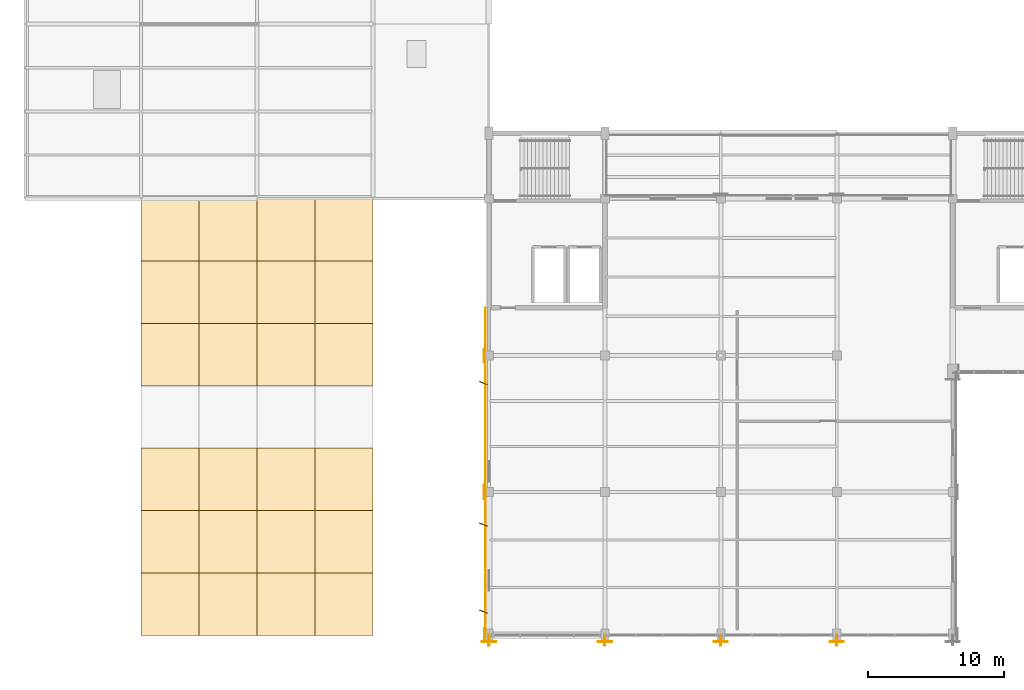
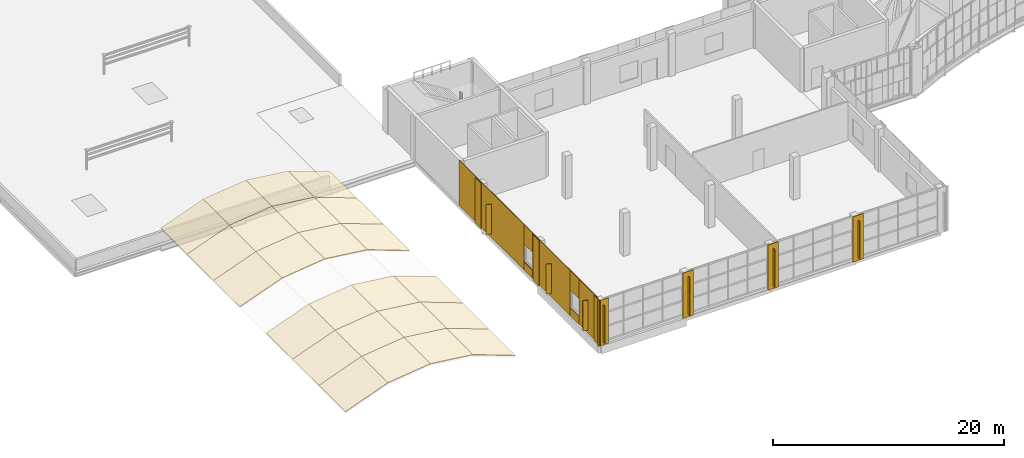
# One storey, part 59 of 66: 41 coverings, 4 shading devices.
"""IFC4 building model written with IfcOpenShell, lengths in metres."""

from ifc_helpers import new_model, si_unit, direction, frame, origin, origin_2d, place, context, subcontext, project, spatial, polyline, rectangle, hollow_rectangle, outline, extrude, material, layer, layer_set, material_profile, profile_set, type_object, element, save


model = new_model("IFC4")

# Units and contexts
model_context = context("Model", 3, precision=1e-05, world=origin(), true_north=direction((0.0, 1.0)))
body_context = subcontext(model_context, "Body", "Model", "MODEL_VIEW")
ifc_project = project(units=[si_unit("LENGTHUNIT", "METRE"), si_unit("AREAUNIT", "SQUARE_METRE"), si_unit("VOLUMEUNIT", "CUBIC_METRE"), si_unit("PLANEANGLEUNIT", "RADIAN"), si_unit("MASSUNIT", "GRAM", prefix="KILO")], contexts=[model_context])

# Site, building, storey
site_placement = place(None, origin())
site = spatial("IfcSite", under=ifc_project, at=site_placement, CompositionType="ELEMENT")
building_placement = place(site_placement, origin())
building = spatial("IfcBuilding", under=site, at=building_placement, Name="Solvikara Media Centre", CompositionType="ELEMENT")
storey_placement = place(building_placement, frame((0.0, 0.0, 19.800048828125)))
storey = spatial("IfcBuildingStorey", under=building, at=storey_placement, Name="L04", CompositionType="ELEMENT", Elevation=19.800048828125)

# Coverings
ifc_material_1 = material(Name="Insulated standing-seam aluminium-zinc acoustic roofing", Category="aluminium")
ifc_layer_1 = layer(ifc_material_1, 0.080078125)
ifc_layer_set_1 = layer_set([ifc_layer_1], Name="Insulated standing-seam aluminium-zinc acoustic roofing")
covering_type_1 = type_object("IfcCoveringType", Name="CV-03", PredefinedType="ROOFING", material=ifc_layer_set_1)
covering_1_placement = place(storey_placement, frame((8.5, 0.0, 1.579833984375), z_axis=(-0.347531882516, 0.0, 0.937668166589), x_axis=(0.937668166589, 0.0, 0.347531882516)))
element("IfcCovering", 1, at=covering_1_placement, inside=storey, type_object=covering_type_1, Name="CV-GC-00-02", PredefinedType="ROOFING", context=body_context, shape_type="SweptSolid", body=[
    extrude(outline(polyline([(0.0, 0.0), (4.532520300287906, 0.0), (4.532520300287906, 4.571044921875), (0.0, 4.571044921875), (0.0, 0.0)])), origin(), (0.0, 0.0, -1.0), 0.080078125),
])
for number, where, z_axis, x_axis, name in (
    (2, (12.75, 0.0, 3.155029296875), (-0.122575101536, 0.0, 0.992459240716), (0.992459240716, 0.0, 0.122575101536), "CV-GC-00-03"),
    (3, (17.0, 0.0, 3.679931640625), (0.122575101536, 0.0, 0.992459240716), (0.992459240716, 0.0, -0.122575101536), "CV-GC-00-04"),
):
    element("IfcCovering", number, at=place(storey_placement, frame(where, z_axis=z_axis, x_axis=x_axis)), inside=storey, type_object=covering_type_1, Name=name, PredefinedType="ROOFING", context=body_context, shape_type="SweptSolid", body=[
        extrude(outline(polyline([(0.0, 0.0), (4.282291731126482, 0.0), (4.282291731126482, 4.571044921875001), (0.0, 4.571044921875001), (0.0, 0.0)])), origin(), (0.0, 0.0, -1.0), 0.080078125),
    ])
covering_2_placement = place(storey_placement, frame((21.25, 0.0, 3.155029296875), z_axis=(0.347531882516, 0.0, 0.937668166589), x_axis=(0.937668166589, 0.0, -0.347531882516)))
element("IfcCovering", 4, at=covering_2_placement, inside=storey, type_object=covering_type_1, Name="CV-GC-00-05", PredefinedType="ROOFING", context=body_context, shape_type="SweptSolid", body=[
    extrude(outline(polyline([(0.0, 0.0), (4.532520300287906, 0.0), (4.532520300287906, 4.571044921875), (0.0, 4.571044921875), (0.0, 0.0)])), origin(), (0.0, 0.0, -1.0), 0.080078125),
])
covering_3_placement = place(storey_placement, frame((8.5, 4.571044921875, 1.579833984375), z_axis=(-0.347531882516, 0.0, 0.937668166589), x_axis=(0.937668166589, 0.0, 0.347531882516)))
element("IfcCovering", 5, at=covering_3_placement, inside=storey, type_object=covering_type_1, Name="CV-GC-01-02", PredefinedType="ROOFING", context=body_context, shape_type="SweptSolid", body=[
    extrude(outline(polyline([(0.0, 0.0), (4.532520300287906, 0.0), (4.532520300287906, 4.572021484375), (0.0, 4.572021484375), (0.0, 0.0)])), origin(), (0.0, 0.0, -1.0), 0.080078125),
])
for number, where, z_axis, x_axis, name in (
    (6, (12.75, 4.571044921875, 3.155029296875), (-0.122575101536, 0.0, 0.992459240716), (0.992459240716, 0.0, 0.122575101536), "CV-GC-01-03"),
    (7, (17.0, 4.571044921875, 3.679931640625), (0.122575101536, 0.0, 0.992459240716), (0.992459240716, 0.0, -0.122575101536), "CV-GC-01-04"),
):
    element("IfcCovering", number, at=place(storey_placement, frame(where, z_axis=z_axis, x_axis=x_axis)), inside=storey, type_object=covering_type_1, Name=name, PredefinedType="ROOFING", context=body_context, shape_type="SweptSolid", body=[
        extrude(outline(polyline([(0.0, 0.0), (4.282291731126482, 0.0), (4.282291731126482, 4.572021484375), (0.0, 4.572021484375), (0.0, 0.0)])), origin(), (0.0, 0.0, -1.0), 0.080078125),
    ])
covering_4_placement = place(storey_placement, frame((21.25, 4.571044921875, 3.155029296875), z_axis=(0.347531882516, 0.0, 0.937668166589), x_axis=(0.937668166589, 0.0, -0.347531882516)))
element("IfcCovering", 8, at=covering_4_placement, inside=storey, type_object=covering_type_1, Name="CV-GC-01-05", PredefinedType="ROOFING", context=body_context, shape_type="SweptSolid", body=[
    extrude(outline(polyline([(0.0, 0.0), (4.532520300287906, 0.0), (4.532520300287906, 4.572021484375), (0.0, 4.572021484375), (0.0, 0.0)])), origin(), (0.0, 0.0, -1.0), 0.080078125),
])
covering_5_placement = place(storey_placement, frame((8.5, 9.14306640625, 1.579833984375), z_axis=(-0.347531882516, 0.0, 0.937668166589), x_axis=(0.937668166589, 0.0, 0.347531882516)))
element("IfcCovering", 9, at=covering_5_placement, inside=storey, type_object=covering_type_1, Name="CV-GC-02-02", PredefinedType="ROOFING", context=body_context, shape_type="SweptSolid", body=[
    extrude(outline(polyline([(0.0, 0.0), (4.532520300287906, 0.0), (4.532520300287906, 4.571044921875), (0.0, 4.571044921875), (0.0, 0.0)])), origin(), (0.0, 0.0, -1.0), 0.080078125),
])
for number, where, z_axis, x_axis, name in (
    (10, (12.75, 9.14306640625, 3.155029296875), (-0.122575101536, 0.0, 0.992459240716), (0.992459240716, 0.0, 0.122575101536), "CV-GC-02-03"),
    (11, (17.0, 9.14306640625, 3.679931640625), (0.122575101536, 0.0, 0.992459240716), (0.992459240716, 0.0, -0.122575101536), "CV-GC-02-04"),
):
    element("IfcCovering", number, at=place(storey_placement, frame(where, z_axis=z_axis, x_axis=x_axis)), inside=storey, type_object=covering_type_1, Name=name, PredefinedType="ROOFING", context=body_context, shape_type="SweptSolid", body=[
        extrude(outline(polyline([(0.0, 0.0), (4.282291731126482, 0.0), (4.282291731126482, 4.571044921875001), (0.0, 4.571044921875001), (0.0, 0.0)])), origin(), (0.0, 0.0, -1.0), 0.080078125),
    ])
for number, where, z_axis, x_axis, name in (
    (12, (21.25, 9.14306640625, 3.155029296875), (0.347531882516, 0.0, 0.937668166589), (0.937668166589, 0.0, -0.347531882516), "CV-GC-02-05"),
    (13, (8.5, 18.285888671875, 1.579833984375), (-0.347531882516, 0.0, 0.937668166589), (0.937668166589, 0.0, 0.347531882516), "CV-GC-04-02"),
):
    element("IfcCovering", number, at=place(storey_placement, frame(where, z_axis=z_axis, x_axis=x_axis)), inside=storey, type_object=covering_type_1, Name=name, PredefinedType="ROOFING", context=body_context, shape_type="SweptSolid", body=[
        extrude(outline(polyline([(0.0, 0.0), (4.532520300287906, 0.0), (4.532520300287906, 4.571044921875), (0.0, 4.571044921875), (0.0, 0.0)])), origin(), (0.0, 0.0, -1.0), 0.080078125),
    ])
for number, where, z_axis, x_axis, name in (
    (14, (12.75, 18.285888671875, 3.155029296875), (-0.122575101536, 0.0, 0.992459240716), (0.992459240716, 0.0, 0.122575101536), "CV-GC-04-03"),
    (15, (17.0, 18.285888671875, 3.679931640625), (0.122575101536, 0.0, 0.992459240716), (0.992459240716, 0.0, -0.122575101536), "CV-GC-04-04"),
):
    element("IfcCovering", number, at=place(storey_placement, frame(where, z_axis=z_axis, x_axis=x_axis)), inside=storey, type_object=covering_type_1, Name=name, PredefinedType="ROOFING", context=body_context, shape_type="SweptSolid", body=[
        extrude(outline(polyline([(0.0, 0.0), (4.282291731126482, 0.0), (4.282291731126482, 4.571044921875001), (0.0, 4.571044921875001), (0.0, 0.0)])), origin(), (0.0, 0.0, -1.0), 0.080078125),
    ])
covering_6_placement = place(storey_placement, frame((21.25, 18.285888671875, 3.155029296875), z_axis=(0.347531882516, 0.0, 0.937668166589), x_axis=(0.937668166589, 0.0, -0.347531882516)))
element("IfcCovering", 16, at=covering_6_placement, inside=storey, type_object=covering_type_1, Name="CV-GC-04-05", PredefinedType="ROOFING", context=body_context, shape_type="SweptSolid", body=[
    extrude(outline(polyline([(0.0, 0.0), (4.532520300287906, 0.0), (4.532520300287906, 4.571044921875), (0.0, 4.571044921875), (0.0, 0.0)])), origin(), (0.0, 0.0, -1.0), 0.080078125),
])
covering_7_placement = place(storey_placement, frame((8.5, 22.85693359375, 1.579833984375), z_axis=(-0.347531882516, 0.0, 0.937668166589), x_axis=(0.937668166589, 0.0, 0.347531882516)))
element("IfcCovering", 17, at=covering_7_placement, inside=storey, type_object=covering_type_1, Name="CV-GC-05-02", PredefinedType="ROOFING", context=body_context, shape_type="SweptSolid", body=[
    extrude(outline(polyline([(0.0, 0.0), (4.532520300287906, 0.0), (4.532520300287906, 4.572021484375), (0.0, 4.572021484375), (0.0, 0.0)])), origin(), (0.0, 0.0, -1.0), 0.080078125),
])
for number, where, z_axis, x_axis, name in (
    (18, (12.75, 22.85693359375, 3.155029296875), (-0.122575101536, 0.0, 0.992459240716), (0.992459240716, 0.0, 0.122575101536), "CV-GC-05-03"),
    (19, (17.0, 22.85693359375, 3.679931640625), (0.122575101536, 0.0, 0.992459240716), (0.992459240716, 0.0, -0.122575101536), "CV-GC-05-04"),
):
    element("IfcCovering", number, at=place(storey_placement, frame(where, z_axis=z_axis, x_axis=x_axis)), inside=storey, type_object=covering_type_1, Name=name, PredefinedType="ROOFING", context=body_context, shape_type="SweptSolid", body=[
        extrude(outline(polyline([(0.0, 0.0), (4.282291731126482, 0.0), (4.282291731126482, 4.572021484375), (0.0, 4.572021484375), (0.0, 0.0)])), origin(), (0.0, 0.0, -1.0), 0.080078125),
    ])
covering_8_placement = place(storey_placement, frame((21.25, 22.85693359375, 3.155029296875), z_axis=(0.347531882516, 0.0, 0.937668166589), x_axis=(0.937668166589, 0.0, -0.347531882516)))
element("IfcCovering", 20, at=covering_8_placement, inside=storey, type_object=covering_type_1, Name="CV-GC-05-05", PredefinedType="ROOFING", context=body_context, shape_type="SweptSolid", body=[
    extrude(outline(polyline([(0.0, 0.0), (4.532520300287906, 0.0), (4.532520300287906, 4.572021484375), (0.0, 4.572021484375), (0.0, 0.0)])), origin(), (0.0, 0.0, -1.0), 0.080078125),
])
covering_9_placement = place(storey_placement, frame((8.5, 27.428955078125, 1.579833984375), z_axis=(-0.347531882516, 0.0, 0.937668166589), x_axis=(0.937668166589, 0.0, 0.347531882516)))
element("IfcCovering", 21, at=covering_9_placement, inside=storey, type_object=covering_type_1, Name="CV-GC-06-02", PredefinedType="ROOFING", context=body_context, shape_type="SweptSolid", body=[
    extrude(outline(polyline([(0.0, 0.0), (4.532520300287906, 0.0), (4.532520300287906, 4.571044921875), (0.0, 4.571044921875), (0.0, 0.0)])), origin(), (0.0, 0.0, -1.0), 0.080078125),
])
for number, where, z_axis, x_axis, name in (
    (22, (12.75, 27.428955078125, 3.155029296875), (-0.122575101536, 0.0, 0.992459240716), (0.992459240716, 0.0, 0.122575101536), "CV-GC-06-03"),
    (23, (17.0, 27.428955078125, 3.679931640625), (0.122575101536, 0.0, 0.992459240716), (0.992459240716, 0.0, -0.122575101536), "CV-GC-06-04"),
):
    element("IfcCovering", number, at=place(storey_placement, frame(where, z_axis=z_axis, x_axis=x_axis)), inside=storey, type_object=covering_type_1, Name=name, PredefinedType="ROOFING", context=body_context, shape_type="SweptSolid", body=[
        extrude(outline(polyline([(0.0, 0.0), (4.282291731126482, 0.0), (4.282291731126482, 4.571044921875001), (0.0, 4.571044921875001), (0.0, 0.0)])), origin(), (0.0, 0.0, -1.0), 0.080078125),
    ])
covering_10_placement = place(storey_placement, frame((21.25, 27.428955078125, 3.155029296875), z_axis=(0.347531882516, 0.0, 0.937668166589), x_axis=(0.937668166589, 0.0, -0.347531882516)))
element("IfcCovering", 24, at=covering_10_placement, inside=storey, type_object=covering_type_1, Name="CV-GC-06-05", PredefinedType="ROOFING", context=body_context, shape_type="SweptSolid", body=[
    extrude(outline(polyline([(0.0, 0.0), (4.532520300287906, 0.0), (4.532520300287906, 4.571044921875), (0.0, 4.571044921875), (0.0, 0.0)])), origin(), (0.0, 0.0, -1.0), 0.080078125),
])
ifc_material_2 = material(Name="GFRC white mineral architectural rainscreen panel")
ifc_layer_2 = layer(ifc_material_2, 0.050048828125)
ifc_layer_set_2 = layer_set([ifc_layer_2], Name="GFRC white mineral architectural rainscreen panel")
covering_type_2 = type_object("IfcCoveringType", Name="CV-04", PredefinedType="CLADDING", material=ifc_layer_set_2)
for number, where, z_axis, x_axis, name in (
    (25, (33.675048828125, 0.0, 0.0), (0.0, 0.0, 1.0), (0.0, -1.0, 0.0), "PIL-L04-101"),
    (26, (34.0, -0.47509765625, 0.0), (0.0, 0.0, 1.0), (1.0, 0.0, 0.0), "PIL-L04-102"),
    (27, (33.64990234375, 10.5, 0.0), (0.0, 0.0, 1.0), (0.0, -1.0, 0.0), "PIL-L04-104"),
    (28, (33.64990234375, 20.5, 0.0), (0.0, 0.0, 1.0), (0.0, -1.0, 0.0), "PIL-L04-106"),
    (29, (42.5, -0.47509765625, 0.0), (0.0, 0.0, 1.0), (1.0, 0.0, 0.0), "PIL-L04-111"),
    (30, (51.0, -0.47509765625, 0.0), (0.0, 0.0, 1.0), (1.0, 0.0, 0.0), "PIL-L04-116"),
    (31, (59.5, -0.47509765625, 0.0), (0.0, 0.0, 1.0), (1.0, 0.0, 0.0), "PIL-L04-131"),
):
    element("IfcCovering", number, at=place(storey_placement, frame(where, z_axis=z_axis, x_axis=x_axis)), inside=storey, type_object=covering_type_2, Name=name, PredefinedType="CLADDING", context=body_context, shape_type="SweptSolid", body=[
        extrude(rectangle(XDim=1.0400390625, YDim=0.050048828125, at=origin_2d()), origin(), (0.0, 0.0, 1.0), 4.800048828125),
    ])
covering_11_placement = place(storey_placement, frame((33.7548828125, 1.625, 0.0), z_axis=(0.0, 0.0, 1.0), x_axis=(0.0, 1.0, 0.0)))
element("IfcCovering", 32, at=covering_11_placement, inside=storey, type_object=covering_type_2, Name="L04-V6W-CV-F01", PredefinedType="CLADDING", context=body_context, shape_type="SweptSolid", body=[
    extrude(rectangle(XDim=3.25, YDim=0.050048828125, at=origin_2d()), origin(), (0.0, 0.0, 1.0), 4.800048828125),
])
covering_12_placement = place(storey_placement, frame((33.590087890625, 1.735107421875, 0.35009765625), z_axis=(0.0, 0.0, 1.0), x_axis=(-0.930749810713, 0.3656566557, 0.0)))
element("IfcCovering", 33, at=covering_12_placement, inside=storey, type_object=covering_type_2, Name="L04-V6W-FIN-01", PredefinedType="CLADDING", context=body_context, shape_type="SweptSolid", body=[
    extrude(rectangle(XDim=0.60205078125, YDim=0.050048828125, at=origin_2d()), origin(), (0.0, 0.0, 1.0), 3.159912109375),
])
covering_13_placement = place(storey_placement, frame((33.7548828125, 4.0, 0.0), z_axis=(0.0, 0.0, 1.0), x_axis=(0.0, 1.0, 0.0)))
element("IfcCovering", 34, at=covering_13_placement, inside=storey, type_object=covering_type_2, Name="L04-V6W-CV-S02", PredefinedType="CLADDING", context=body_context, shape_type="SweptSolid", body=[
    extrude(rectangle(XDim=1.5, YDim=0.050048828125, at=origin_2d()), origin(), (0.0, 0.0, 1.0), 0.8701171875),
])
covering_14_placement = place(storey_placement, frame((33.7548828125, 4.0, 2.72998046875), z_axis=(0.0, 0.0, 1.0), x_axis=(0.0, 1.0, 0.0)))
element("IfcCovering", 35, at=covering_14_placement, inside=storey, type_object=covering_type_2, Name="L04-V6W-CV-H02", PredefinedType="CLADDING", context=body_context, shape_type="SweptSolid", body=[
    extrude(rectangle(XDim=1.5, YDim=0.050048828125, at=origin_2d()), origin(), (0.0, 0.0, 1.0), 2.070068359375),
])
covering_15_placement = place(storey_placement, frame((33.7548828125, 8.0, 0.0), z_axis=(0.0, 0.0, 1.0), x_axis=(0.0, 1.0, 0.0)))
element("IfcCovering", 36, at=covering_15_placement, inside=storey, type_object=covering_type_2, Name="L04-V6W-CV-F03", PredefinedType="CLADDING", context=body_context, shape_type="SweptSolid", body=[
    extrude(rectangle(XDim=6.5, YDim=0.050048828125, at=origin_2d()), origin(), (0.0, 0.0, 1.0), 4.800048828125),
])
covering_16_placement = place(storey_placement, frame((33.590087890625, 8.110107421875, 0.35009765625), z_axis=(0.0, 0.0, 1.0), x_axis=(-0.930749810713, 0.3656566557, 0.0)))
element("IfcCovering", 37, at=covering_16_placement, inside=storey, type_object=covering_type_2, Name="L04-V6W-FIN-03", PredefinedType="CLADDING", context=body_context, shape_type="SweptSolid", body=[
    extrude(rectangle(XDim=0.60205078125, YDim=0.050048828125, at=origin_2d()), origin(), (0.0, 0.0, 1.0), 3.159912109375),
])
covering_17_placement = place(storey_placement, frame((33.7548828125, 12.0, 0.0), z_axis=(0.0, 0.0, 1.0), x_axis=(0.0, 1.0, 0.0)))
element("IfcCovering", 38, at=covering_17_placement, inside=storey, type_object=covering_type_2, Name="L04-V6W-CV-S04", PredefinedType="CLADDING", context=body_context, shape_type="SweptSolid", body=[
    extrude(rectangle(XDim=1.5, YDim=0.050048828125, at=origin_2d()), origin(), (0.0, 0.0, 1.0), 0.8701171875),
])
covering_18_placement = place(storey_placement, frame((33.7548828125, 12.0, 2.72998046875), z_axis=(0.0, 0.0, 1.0), x_axis=(0.0, 1.0, 0.0)))
element("IfcCovering", 39, at=covering_18_placement, inside=storey, type_object=covering_type_2, Name="L04-V6W-CV-H04", PredefinedType="CLADDING", context=body_context, shape_type="SweptSolid", body=[
    extrude(rectangle(XDim=1.5, YDim=0.050048828125, at=origin_2d()), origin(), (0.0, 0.0, 1.0), 2.070068359375),
])
covering_19_placement = place(storey_placement, frame((33.7548828125, 18.375, 0.0), z_axis=(0.0, 0.0, 1.0), x_axis=(0.0, 1.0, 0.0)))
element("IfcCovering", 40, at=covering_19_placement, inside=storey, type_object=covering_type_2, Name="L04-V6W-CV-F05", PredefinedType="CLADDING", context=body_context, shape_type="SweptSolid", body=[
    extrude(rectangle(XDim=11.25, YDim=0.050048828125, at=origin_2d()), origin(), (0.0, 0.0, 1.0), 4.800048828125),
])
covering_20_placement = place(storey_placement, frame((33.590087890625, 18.485107421875, 0.35009765625), z_axis=(0.0, 0.0, 1.0), x_axis=(-0.930749810713, 0.3656566557, 0.0)))
element("IfcCovering", 41, at=covering_20_placement, inside=storey, type_object=covering_type_2, Name="L04-V6W-FIN-05", PredefinedType="CLADDING", context=body_context, shape_type="SweptSolid", body=[
    extrude(rectangle(XDim=0.60205078125, YDim=0.050048828125, at=origin_2d()), origin(), (0.0, 0.0, 1.0), 3.159912109375),
])

# Shading devices
ifc_material_3 = material(Name="Anodised aluminium EN AW-6063", Category="aluminium")
ifc_material_profile = material_profile(ifc_material_3, hollow_rectangle(XDim=0.080078125, YDim=0.800048828125, WallThickness=0.00390625, at=origin_2d()), Name="ALU-FIN 80x800x4")
ifc_profile_set = profile_set([ifc_material_profile], Name="Anodised aluminium EN AW-6063")
shading_device_type = type_object("IfcShadingDeviceType", Name="SH-01", PredefinedType="USERDEFINED", material=ifc_profile_set)
for number, where, z_axis, x_axis, name in (
    (42, (34.0, -0.35009765625, 0.300048828125), (0.0, 0.0, 1.0), (1.0, 0.0, 0.0), "FIN-L04-016"),
    (43, (42.5, -0.35009765625, 0.300048828125), (0.0, 0.0, 1.0), (1.0, 0.0, 0.0), "FIN-L04-017"),
    (44, (51.0, -0.35009765625, 0.300048828125), (0.0, 0.0, 1.0), (1.0, 0.0, 0.0), "FIN-L04-018"),
    (45, (59.5, -0.35009765625, 0.300048828125), (0.0, 0.0, 1.0), (1.0, 0.0, 0.0), "FIN-L04-019"),
):
    element("IfcShadingDevice", number, at=place(storey_placement, frame(where, z_axis=z_axis, x_axis=x_axis)), inside=storey, type_object=shading_device_type, Name=name, ObjectType="FIN", PredefinedType="USERDEFINED", context=body_context, shape_type="SweptSolid", body=[
        extrude(hollow_rectangle(XDim=0.080078125, YDim=0.800048828125, WallThickness=0.00390625, at=origin_2d()), origin(), (0.0, 0.0, 1.0), 4.0),
    ])

save(model, "model.ifc")
